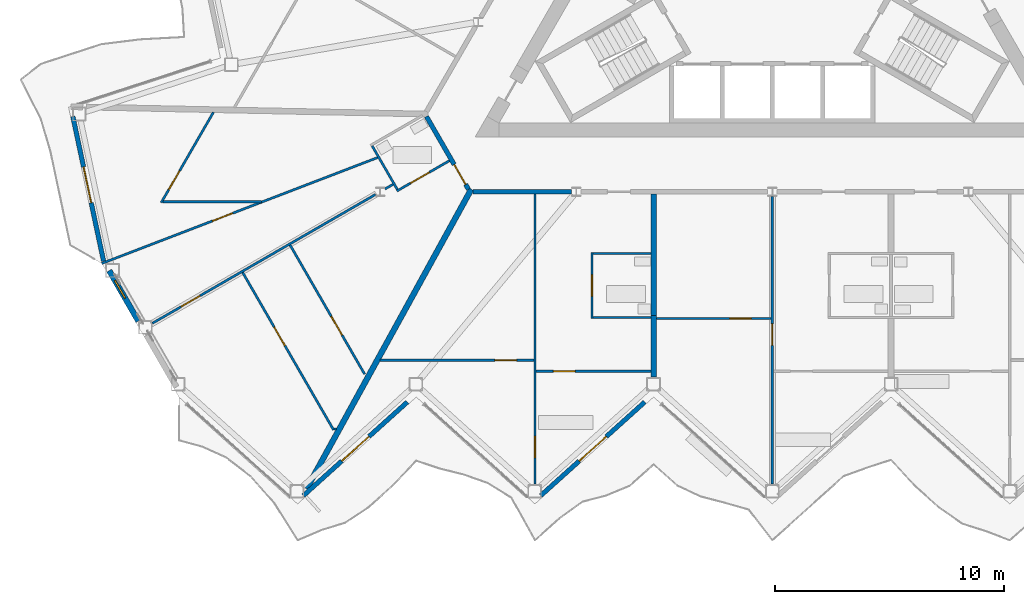
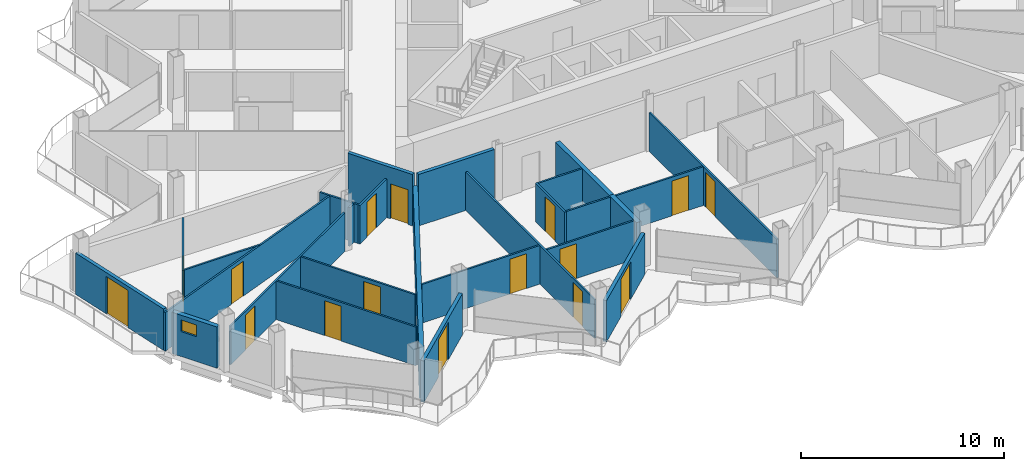
# One storey, part 13 of 27: 27 walls, 16 doors, 1 window, 17 openings.
"""IFC4 building model written with IfcOpenShell, lengths in metres."""

from ifc_helpers import new_model, si_unit, direction, frame, frame_2d, origin, place, context, subcontext, project, spatial, rectangle, extrude, material, layer, layer_set, type_object, element, fill, save


model = new_model("IFC4")

# Units and contexts
model_context = context("Model", 3, precision=1e-05, world=origin(), true_north=direction((0.0, 1.0)))
body_context = subcontext(model_context, "Body", "Model", "MODEL_VIEW")
ifc_project = project(units=[si_unit("LENGTHUNIT", "METRE"), si_unit("AREAUNIT", "SQUARE_METRE"), si_unit("VOLUMEUNIT", "CUBIC_METRE"), si_unit("PLANEANGLEUNIT", "RADIAN"), si_unit("MASSUNIT", "GRAM", prefix="KILO")], contexts=[model_context])

# Site, building, storey
site_placement = place(None, origin())
site = spatial("IfcSite", under=ifc_project, at=site_placement, CompositionType="ELEMENT")
building_placement = place(site_placement, origin())
building = spatial("IfcBuilding", under=site, at=building_placement, Name="Cormorant Prow Tower", CompositionType="ELEMENT")
storey_placement = place(building_placement, frame((0.0, 0.0, 315.39990234375)))
storey = spatial("IfcBuildingStorey", under=building, at=storey_placement, Name="L69", CompositionType="ELEMENT", Elevation=315.39990234375)

# Wall
ifc_material_1 = material(Name="Gypsum board corridor wall")
ifc_layer_1 = layer(ifc_material_1, 0.199951171875)
ifc_layer_set_1 = layer_set([ifc_layer_1], Name="Gypsum board corridor wall")
wall_type_1 = type_object("IfcWallType", Name="Corridor wall 200", PredefinedType="PARTITIONING", material=ifc_layer_set_1)
wall_1_placement = place(storey_placement, frame((-13.10595703125, -9.905517578125, 0.0), z_axis=(0.0, 0.0, 1.0), x_axis=(1.0, 0.0, 0.0)))
element("IfcWall", 1, at=wall_1_placement, inside=storey, type_object=wall_type_1, Name="Corridor wall", PredefinedType="PARTITIONING", context=body_context, shape_type="SweptSolid", body=[
    extrude(rectangle(XDim=4.31982421875, YDim=0.199951171875, at=frame_2d((2.159912109375, 0.0))), origin(), (0.0, 0.0, 1.0), 3.10009765625),
])

# Wall, opening, door
wall_2_placement = place(storey_placement, frame((-15.13134765625, -6.61376953125, 0.0), z_axis=(0.0, 0.0, 1.0), x_axis=(0.499967746641, -0.866044024469, 0.0)))
wall_2 = element("IfcWall", 2, at=wall_2_placement, inside=storey, type_object=wall_type_1, Name="Corridor wall", PredefinedType="PARTITIONING", context=body_context, shape_type="SweptSolid", body=[
    extrude(rectangle(XDim=3.676025390625, YDim=0.199951171875, at=frame_2d((1.837890625, 0.0))), origin(), (0.0, 0.0, 1.0), 3.10009765625),
])
opening_1_placement = place(wall_2_placement, frame((2.426025390625, 0.0, 0.0)))
opening_1 = element("IfcOpeningElement", 3, at=opening_1_placement, cuts=wall_2, Name="Opening L69-F48", PredefinedType="OPENING", context=body_context, shape_type="SweptSolid", body=[
    extrude(rectangle(XDim=1.0, YDim=2.10009765625, at=frame_2d((0.5, 1.050048828125))), frame((0.0, 0.10986328125, 0.0), z_axis=(0.0, -1.0, 0.0), x_axis=(1.0, 0.0, 0.0)), (0.0, 0.0, 1.0), 0.219970703125),
])
ifc_material_2 = material(Name="Timber door leaf", Category="wood")
door_type_1 = type_object("IfcDoorType", Name="Flat or room entrance door 1000x2100", OperationType="NOTDEFINED", PredefinedType="DOOR", material=ifc_material_2)
door_1_placement = place(opening_1_placement, origin())
door_1 = element("IfcDoor", 4, at=door_1_placement, inside=storey, type_object=door_type_1, Name="Living room door", OperationType="SINGLE_SWING_RIGHT", OverallHeight=2.10009765625, OverallWidth=1.0, PredefinedType="DOOR", context=body_context, shape_type="SweptSolid", body=[
    extrude(rectangle(XDim=1.0, YDim=2.10009765625, at=frame_2d((0.5, 1.050048828125))), frame((0.0, 0.02490234375, 0.0), z_axis=(0.0, -1.0, 0.0), x_axis=(1.0, 0.0, 0.0)), (0.0, 0.0, 1.0), 0.050048828125),
])
fill(opening_1, door_1)

ifc_material_3 = material(Name="Gypsum board partition")
ifc_layer_2 = layer(ifc_material_3, 0.10009765625)
ifc_layer_set_2 = layer_set([ifc_layer_2], Name="Gypsum board partition")
wall_type_2 = type_object("IfcWallType", Name="Internal partition 100", PredefinedType="PARTITIONING", material=ifc_layer_set_2)
wall_3_placement = place(storey_placement, frame((-29.33837890625, -13.042236328125, 0.0), z_axis=(0.0, 0.0, 1.0), x_axis=(0.93358243931, 0.358362705944, 0.0)))
wall_3 = element("IfcWall", 5, at=wall_3_placement, inside=storey, type_object=wall_type_2, Name="Internal partition", PredefinedType="PARTITIONING", context=body_context, shape_type="SweptSolid", body=[
    extrude(rectangle(XDim=12.927734375, YDim=0.10009765625, at=frame_2d((6.4638671875, 0.0))), origin(), (0.0, 0.0, 1.0), 2.330078125),
])
opening_2_placement = place(wall_3_placement, frame((5.183349609375, 0.0, 0.0)))
opening_2 = element("IfcOpeningElement", 6, at=opening_2_placement, cuts=wall_3, Name="Opening L69-F53", PredefinedType="OPENING", context=body_context, shape_type="SweptSolid", body=[
    extrude(rectangle(XDim=0.949951171875, YDim=2.10009765625, at=frame_2d((0.47509765625, 1.050048828125))), frame((0.0, 0.06005859375, 0.0), z_axis=(0.0, -1.0, 0.0), x_axis=(1.0, 0.0, 0.0)), (0.0, 0.0, 1.0), 0.1201171875),
])
ifc_material_4 = material(Name="Timber door leaf", Category="wood")
door_type_2 = type_object("IfcDoorType", Name="Bathroom door 950x2100", OperationType="NOTDEFINED", PredefinedType="DOOR", material=ifc_material_4)
door_2_placement = place(opening_2_placement, origin())
door_2 = element("IfcDoor", 7, at=door_2_placement, inside=storey, type_object=door_type_2, Name="Bedroom door", OperationType="SINGLE_SWING_RIGHT", OverallHeight=2.10009765625, OverallWidth=0.949951171875, PredefinedType="DOOR", context=body_context, shape_type="SweptSolid", body=[
    extrude(rectangle(XDim=0.949951171875, YDim=2.10009765625, at=frame_2d((0.47509765625, 1.050048828125))), frame((0.0, 0.02490234375, 0.0), z_axis=(0.0, -1.0, 0.0), x_axis=(1.0, 0.0, 0.0)), (0.0, 0.0, 1.0), 0.050048828125),
])
fill(opening_2, door_2)

wall_4_placement = place(storey_placement, frame((-10.385498046875, -22.697998046875, 0.0), z_axis=(0.0, 0.0, 1.0), x_axis=(0.0, 1.0, 0.0)))
wall_4 = element("IfcWall", 8, at=wall_4_placement, inside=storey, type_object=wall_type_2, Name="Internal partition", PredefinedType="PARTITIONING", context=body_context, shape_type="SweptSolid", body=[
    extrude(rectangle(XDim=12.6923828125, YDim=0.10009765625, at=frame_2d((6.34619140625, 0.0))), origin(), (0.0, 0.0, 1.0), 2.330078125),
])
opening_3_placement = place(wall_4_placement, frame((1.1533203125, 0.0, 0.0)))
opening_3 = element("IfcOpeningElement", 9, at=opening_3_placement, cuts=wall_4, Name="Opening L69-F04", PredefinedType="OPENING", context=body_context, shape_type="SweptSolid", body=[
    extrude(rectangle(XDim=0.949951171875, YDim=2.10009765625, at=frame_2d((0.47509765625, 1.050048828125))), frame((0.0, 0.06005859375, 0.0), z_axis=(0.0, -1.0, 0.0), x_axis=(1.0, 0.0, 0.0)), (0.0, 0.0, 1.0), 0.1201171875),
])
door_3_placement = place(opening_3_placement, origin())
door_3 = element("IfcDoor", 10, at=door_3_placement, inside=storey, type_object=door_type_2, Name="Kitchen door", OperationType="SINGLE_SWING_RIGHT", OverallHeight=2.10009765625, OverallWidth=0.949951171875, PredefinedType="DOOR", context=body_context, shape_type="SweptSolid", body=[
    extrude(rectangle(XDim=0.949951171875, YDim=2.10009765625, at=frame_2d((0.47509765625, 1.050048828125))), frame((0.0, 0.02490234375, 0.0), z_axis=(0.0, -1.0, 0.0), x_axis=(1.0, 0.0, 0.0)), (0.0, 0.0, 1.0), 0.050048828125),
])
fill(opening_3, door_3)

wall_5_placement = place(storey_placement, frame((0.0, -22.697998046875, 0.0), z_axis=(0.0, 0.0, 1.0), x_axis=(0.0, 1.0, 0.0)))
wall_5 = element("IfcWall", 11, at=wall_5_placement, inside=storey, type_object=wall_type_2, Name="Internal partition", PredefinedType="PARTITIONING", context=body_context, shape_type="SweptSolid", body=[
    extrude(rectangle(XDim=12.584716796875, YDim=0.10009765625, at=frame_2d((6.29248046875, 0.0))), origin(), (0.0, 0.0, 1.0), 2.330078125),
])
opening_4_placement = place(wall_5_placement, frame((6.068115234375, 0.0, 0.0)))
opening_4 = element("IfcOpeningElement", 12, at=opening_4_placement, cuts=wall_5, Name="Opening L69-F09", PredefinedType="OPENING", context=body_context, shape_type="SweptSolid", body=[
    extrude(rectangle(XDim=0.949951171875, YDim=2.10009765625, at=frame_2d((0.47509765625, 1.050048828125))), frame((0.0, 0.06005859375, 0.0), z_axis=(0.0, -1.0, 0.0), x_axis=(1.0, 0.0, 0.0)), (0.0, 0.0, 1.0), 0.1201171875),
])
door_4_placement = place(opening_4_placement, origin())
door_4 = element("IfcDoor", 13, at=door_4_placement, inside=storey, type_object=door_type_2, Name="Living room door", OperationType="SINGLE_SWING_RIGHT", OverallHeight=2.10009765625, OverallWidth=0.949951171875, PredefinedType="DOOR", context=body_context, shape_type="SweptSolid", body=[
    extrude(rectangle(XDim=0.949951171875, YDim=2.10009765625, at=frame_2d((0.47509765625, 1.050048828125))), frame((0.0, 0.02490234375, 0.0), z_axis=(0.0, -1.0, 0.0), x_axis=(1.0, 0.0, 0.0)), (0.0, 0.0, 1.0), 0.050048828125),
])
fill(opening_4, door_4)

wall_6_placement = place(storey_placement, frame((-27.122314453125, -15.6591796875, 0.0), z_axis=(0.0, 0.0, 1.0), x_axis=(0.866021046153, 0.500007547564, 0.0)))
wall_6 = element("IfcWall", 14, at=wall_6_placement, inside=storey, type_object=wall_type_2, Name="Internal partition", PredefinedType="PARTITIONING", context=body_context, shape_type="SweptSolid", body=[
    extrude(rectangle(XDim=11.267333984375, YDim=0.10009765625, at=frame_2d((5.6337890625, 0.0))), origin(), (0.0, 0.0, 1.0), 2.330078125),
])
opening_5_placement = place(wall_6_placement, frame((1.4521484375, 0.0, 0.0)))
opening_5 = element("IfcOpeningElement", 15, at=opening_5_placement, cuts=wall_6, Name="Opening L69-F52", PredefinedType="OPENING", context=body_context, shape_type="SweptSolid", body=[
    extrude(rectangle(XDim=0.949951171875, YDim=2.10009765625, at=frame_2d((0.47509765625, 1.050048828125))), frame((0.0, 0.06005859375, 0.0), z_axis=(0.0, -1.0, 0.0), x_axis=(1.0, 0.0, 0.0)), (0.0, 0.0, 1.0), 0.1201171875),
])
door_5_placement = place(opening_5_placement, origin())
door_5 = element("IfcDoor", 16, at=door_5_placement, inside=storey, type_object=door_type_2, Name="Dining room door", OperationType="SINGLE_SWING_RIGHT", OverallHeight=2.10009765625, OverallWidth=0.949951171875, PredefinedType="DOOR", context=body_context, shape_type="SweptSolid", body=[
    extrude(rectangle(XDim=0.949951171875, YDim=2.10009765625, at=frame_2d((0.47509765625, 1.050048828125))), frame((0.0, 0.02490234375, 0.0), z_axis=(0.0, -1.0, 0.0), x_axis=(1.0, 0.0, 0.0)), (0.0, 0.0, 1.0), 0.050048828125),
])
fill(opening_5, door_5)

wall_7_placement = place(storey_placement, frame((-23.173095703125, -13.436767578125, 0.0), z_axis=(0.0, 0.0, 1.0), x_axis=(0.500018284498, -0.866014846967, 0.0)))
wall_7 = element("IfcWall", 17, at=wall_7_placement, inside=storey, type_object=wall_type_2, Name="Internal partition", PredefinedType="PARTITIONING", context=body_context, shape_type="SweptSolid", body=[
    extrude(rectangle(XDim=7.953369140625, YDim=0.10009765625, at=frame_2d((3.9765625, 0.0))), origin(), (0.0, 0.0, 1.0), 2.330078125),
])
opening_6_placement = place(wall_7_placement, frame((2.751220703125, 0.0, 0.0)))
opening_6 = element("IfcOpeningElement", 18, at=opening_6_placement, cuts=wall_7, Name="Opening L69-F51", PredefinedType="OPENING", context=body_context, shape_type="SweptSolid", body=[
    extrude(rectangle(XDim=0.949951171875, YDim=2.10009765625, at=frame_2d((0.47509765625, 1.050048828125))), frame((0.0, 0.06005859375, 0.0), z_axis=(0.0, -1.0, 0.0), x_axis=(1.0, 0.0, 0.0)), (0.0, 0.0, 1.0), 0.1201171875),
])
door_6_placement = place(opening_6_placement, origin())
door_6 = element("IfcDoor", 19, at=door_6_placement, inside=storey, type_object=door_type_2, Name="Kitchen door", OperationType="SINGLE_SWING_RIGHT", OverallHeight=2.10009765625, OverallWidth=0.949951171875, PredefinedType="DOOR", context=body_context, shape_type="SweptSolid", body=[
    extrude(rectangle(XDim=0.949951171875, YDim=2.10009765625, at=frame_2d((0.47509765625, 1.050048828125))), frame((0.0, 0.02490234375, 0.0), z_axis=(0.0, -1.0, 0.0), x_axis=(1.0, 0.0, 0.0)), (0.0, 0.0, 1.0), 0.050048828125),
])
fill(opening_6, door_6)

wall_8_placement = place(storey_placement, frame((-17.157958984375, -17.27099609375, 0.0), z_axis=(0.0, 0.0, 1.0), x_axis=(1.0, 0.0, 0.0)))
wall_8 = element("IfcWall", 20, at=wall_8_placement, inside=storey, type_object=wall_type_2, Name="Internal partition", PredefinedType="PARTITIONING", context=body_context, shape_type="SweptSolid", body=[
    extrude(rectangle(XDim=6.722412109375, YDim=0.10009765625, at=frame_2d((3.361328125, 0.0))), origin(), (0.0, 0.0, 1.0), 2.330078125),
])
opening_7_placement = place(wall_8_placement, frame((5.015380859375, 0.0, 0.0)))
opening_7 = element("IfcOpeningElement", 21, at=opening_7_placement, cuts=wall_8, Name="Opening L69-F05", PredefinedType="OPENING", context=body_context, shape_type="SweptSolid", body=[
    extrude(rectangle(XDim=0.949951171875, YDim=2.10009765625, at=frame_2d((0.47509765625, 1.050048828125))), frame((0.0, 0.06005859375, 0.0), z_axis=(0.0, -1.0, 0.0), x_axis=(1.0, 0.0, 0.0)), (0.0, 0.0, 1.0), 0.1201171875),
])
door_7_placement = place(opening_7_placement, origin())
door_7 = element("IfcDoor", 22, at=door_7_placement, inside=storey, type_object=door_type_2, Name="Bedroom door", OperationType="SINGLE_SWING_RIGHT", OverallHeight=2.10009765625, OverallWidth=0.949951171875, PredefinedType="DOOR", context=body_context, shape_type="SweptSolid", body=[
    extrude(rectangle(XDim=0.949951171875, YDim=2.10009765625, at=frame_2d((0.47509765625, 1.050048828125))), frame((0.0, 0.02490234375, 0.0), z_axis=(0.0, -1.0, 0.0), x_axis=(1.0, 0.0, 0.0)), (0.0, 0.0, 1.0), 0.050048828125),
])
fill(opening_7, door_7)

wall_9_placement = place(storey_placement, frame((-21.09765625, -12.238525390625, 0.0), z_axis=(0.0, 0.0, 1.0), x_axis=(0.499973122483, -0.86604092097, 0.0)))
wall_9 = element("IfcWall", 23, at=wall_9_placement, inside=storey, type_object=wall_type_2, Name="Internal partition", PredefinedType="PARTITIONING", context=body_context, shape_type="SweptSolid", body=[
    extrude(rectangle(XDim=6.519775390625, YDim=0.10009765625, at=frame_2d((3.259765625, 0.0))), origin(), (0.0, 0.0, 1.0), 2.330078125),
])
opening_8_placement = place(wall_9_placement, frame((3.59619140625, 0.0, 0.0)))
opening_8 = element("IfcOpeningElement", 24, at=opening_8_placement, cuts=wall_9, Name="Opening L69-F50", PredefinedType="OPENING", context=body_context, shape_type="SweptSolid", body=[
    extrude(rectangle(XDim=0.949951171875, YDim=2.10009765625, at=frame_2d((0.47509765625, 1.050048828125))), frame((0.0, 0.06005859375, 0.0), z_axis=(0.0, -1.0, 0.0), x_axis=(1.0, 0.0, 0.0)), (0.0, 0.0, 1.0), 0.1201171875),
])
door_8_placement = place(opening_8_placement, origin())
door_8 = element("IfcDoor", 25, at=door_8_placement, inside=storey, type_object=door_type_2, Name="Living room door", OperationType="SINGLE_SWING_RIGHT", OverallHeight=2.10009765625, OverallWidth=0.949951171875, PredefinedType="DOOR", context=body_context, shape_type="SweptSolid", body=[
    extrude(rectangle(XDim=0.949951171875, YDim=2.10009765625, at=frame_2d((0.47509765625, 1.050048828125))), frame((0.0, 0.02490234375, 0.0), z_axis=(0.0, -1.0, 0.0), x_axis=(1.0, 0.0, 0.0)), (0.0, 0.0, 1.0), 0.050048828125),
])
fill(opening_8, door_8)

wall_10_placement = place(storey_placement, frame((-10.335693359375, -17.758056640625, 0.0), z_axis=(0.0, 0.0, 1.0), x_axis=(1.0, 0.0, 0.0)))
wall_10 = element("IfcWall", 26, at=wall_10_placement, inside=storey, type_object=wall_type_2, Name="Internal partition", PredefinedType="PARTITIONING", context=body_context, shape_type="SweptSolid", body=[
    extrude(rectangle(XDim=5.017822265625, YDim=0.10009765625, at=frame_2d((2.5087890625, 0.0))), origin(), (0.0, 0.0, 1.0), 2.330078125),
])
opening_9_placement = place(wall_10_placement, frame((0.759765625, 0.0, 0.0)))
opening_9 = element("IfcOpeningElement", 27, at=opening_9_placement, cuts=wall_10, Name="Opening L69-F03", PredefinedType="OPENING", context=body_context, shape_type="SweptSolid", body=[
    extrude(rectangle(XDim=0.949951171875, YDim=2.10009765625, at=frame_2d((0.47509765625, 1.050048828125))), frame((0.0, 0.06005859375, 0.0), z_axis=(0.0, -1.0, 0.0), x_axis=(1.0, 0.0, 0.0)), (0.0, 0.0, 1.0), 0.1201171875),
])
door_9_placement = place(opening_9_placement, origin())
door_9 = element("IfcDoor", 28, at=door_9_placement, inside=storey, type_object=door_type_2, Name="Living room door", OperationType="SINGLE_SWING_LEFT", OverallHeight=2.10009765625, OverallWidth=0.949951171875, PredefinedType="DOOR", context=body_context, shape_type="SweptSolid", body=[
    extrude(rectangle(XDim=0.949951171875, YDim=2.10009765625, at=frame_2d((0.47509765625, 1.050048828125))), frame((0.0, 0.02490234375, 0.0), z_axis=(0.0, -1.0, 0.0), x_axis=(1.0, 0.0, 0.0)), (0.0, 0.0, 1.0), 0.050048828125),
])
fill(opening_9, door_9)

wall_11_placement = place(storey_placement, frame((-5.06787109375, -15.447265625, 0.0), z_axis=(0.0, 0.0, 1.0), x_axis=(1.0, 0.0, 0.0)))
wall_11 = element("IfcWall", 29, at=wall_11_placement, inside=storey, type_object=wall_type_2, Name="Internal partition", PredefinedType="PARTITIONING", context=body_context, shape_type="SweptSolid", body=[
    extrude(rectangle(XDim=5.017822265625, YDim=0.10009765625, at=frame_2d((2.5087890625, 0.0))), origin(), (0.0, 0.0, 1.0), 2.330078125),
])
opening_10_placement = place(wall_11_placement, frame((3.206298828125, 0.0, 0.0)))
opening_10 = element("IfcOpeningElement", 30, at=opening_10_placement, cuts=wall_11, Name="Opening L69-F10", PredefinedType="OPENING", context=body_context, shape_type="SweptSolid", body=[
    extrude(rectangle(XDim=0.949951171875, YDim=2.10009765625, at=frame_2d((0.47509765625, 1.050048828125))), frame((0.0, 0.06005859375, 0.0), z_axis=(0.0, -1.0, 0.0), x_axis=(1.0, 0.0, 0.0)), (0.0, 0.0, 1.0), 0.1201171875),
])
door_10_placement = place(opening_10_placement, origin())
door_10 = element("IfcDoor", 31, at=door_10_placement, inside=storey, type_object=door_type_2, Name="Bedroom door", OperationType="SINGLE_SWING_RIGHT", OverallHeight=2.10009765625, OverallWidth=0.949951171875, PredefinedType="DOOR", context=body_context, shape_type="SweptSolid", body=[
    extrude(rectangle(XDim=0.949951171875, YDim=2.10009765625, at=frame_2d((0.47509765625, 1.050048828125))), frame((0.0, 0.02490234375, 0.0), z_axis=(0.0, -1.0, 0.0), x_axis=(1.0, 0.0, 0.0)), (0.0, 0.0, 1.0), 0.050048828125),
])
fill(opening_10, door_10)

wall_12_placement = place(storey_placement, frame((-26.735595703125, -10.3798828125, 0.0), z_axis=(0.0, 0.0, 1.0), x_axis=(0.500024700597, 0.866011142419, 0.0)))
wall_12 = element("IfcWall", 32, at=wall_12_placement, inside=storey, type_object=wall_type_2, Name="Internal partition", PredefinedType="PARTITIONING", context=body_context, shape_type="SweptSolid", body=[
    extrude(rectangle(XDim=4.568115234375, YDim=0.10009765625, at=frame_2d((2.2841796875, 0.0))), origin(), (0.0, 0.0, 1.0), 2.330078125),
])
opening_11_placement = place(wall_12_placement, frame((0.65234375, 0.0, 0.0)))
opening_11 = element("IfcOpeningElement", 33, at=opening_11_placement, cuts=wall_12, Name="Opening L69-F54", PredefinedType="OPENING", context=body_context, shape_type="SweptSolid", body=[
    extrude(rectangle(XDim=0.949951171875, YDim=2.10009765625, at=frame_2d((0.47509765625, 1.050048828125))), frame((0.0, 0.06005859375, 0.0), z_axis=(0.0, -1.0, 0.0), x_axis=(1.0, 0.0, 0.0)), (0.0, 0.0, 1.0), 0.1201171875),
])
door_11_placement = place(opening_11_placement, origin())
door_11 = element("IfcDoor", 34, at=door_11_placement, inside=storey, type_object=door_type_2, Name="Bedroom door", OperationType="SINGLE_SWING_LEFT", OverallHeight=2.10009765625, OverallWidth=0.949951171875, PredefinedType="DOOR", context=body_context, shape_type="SweptSolid", body=[
    extrude(rectangle(XDim=0.949951171875, YDim=2.10009765625, at=frame_2d((0.47509765625, 1.050048828125))), frame((0.0, 0.02490234375, 0.0), z_axis=(0.0, -1.0, 0.0), x_axis=(1.0, 0.0, 0.0)), (0.0, 0.0, 1.0), 0.050048828125),
])
fill(opening_11, door_11)

# Wall
wall_13_placement = place(storey_placement, frame((-26.660400390625, -10.336669921875, 0.0), z_axis=(0.0, 0.0, 1.0), x_axis=(1.0, 0.0, 0.0)))
element("IfcWall", 35, at=wall_13_placement, inside=storey, type_object=wall_type_2, Name="Internal partition", PredefinedType="PARTITIONING", context=body_context, shape_type="SweptSolid", body=[
    extrude(rectangle(XDim=4.300537109375, YDim=0.10009765625, at=frame_2d((2.150390625, 0.0))), origin(), (0.0, 0.0, 1.0), 2.330078125),
])

# Wall, opening, door
wall_14_placement = place(storey_placement, frame((-7.892822265625, -15.45556640625, 0.0), z_axis=(0.0, 0.0, 1.0), x_axis=(0.0, 1.0, 0.0)))
wall_14 = element("IfcWall", 36, at=wall_14_placement, inside=storey, type_object=wall_type_2, Name="Internal partition", PredefinedType="PARTITIONING", context=body_context, shape_type="SweptSolid", body=[
    extrude(rectangle(XDim=2.89990234375, YDim=0.10009765625, at=frame_2d((1.449951171875, 0.0))), origin(), (0.0, 0.0, 1.0), 2.330078125),
])
opening_12_placement = place(wall_14_placement, frame((0.97509765625, 0.0, 0.0)))
opening_12 = element("IfcOpeningElement", 37, at=opening_12_placement, cuts=wall_14, Name="Opening L69-F02", PredefinedType="OPENING", context=body_context, shape_type="SweptSolid", body=[
    extrude(rectangle(XDim=0.949951171875, YDim=2.10009765625, at=frame_2d((0.47509765625, 1.050048828125))), frame((0.0, 0.06005859375, 0.0), z_axis=(0.0, -1.0, 0.0), x_axis=(1.0, 0.0, 0.0)), (0.0, 0.0, 1.0), 0.1201171875),
])
door_12_placement = place(opening_12_placement, origin())
door_12 = element("IfcDoor", 38, at=door_12_placement, inside=storey, type_object=door_type_2, Name="Living room door", OperationType="SINGLE_SWING_LEFT", OverallHeight=2.10009765625, OverallWidth=0.949951171875, PredefinedType="DOOR", context=body_context, shape_type="SweptSolid", body=[
    extrude(rectangle(XDim=0.949951171875, YDim=2.10009765625, at=frame_2d((0.47509765625, 1.050048828125))), frame((0.0, 0.02490234375, 0.0), z_axis=(0.0, -1.0, 0.0), x_axis=(1.0, 0.0, 0.0)), (0.0, 0.0, 1.0), 0.050048828125),
])
fill(opening_12, door_12)

# Walls
for number, where, z_axis, x_axis, name in (
    (39, (-7.8427734375, -12.605712890625, 0.0), (0.0, 0.0, 1.0), (1.0, 0.0, 0.0), "Internal partition"),
    (40, (-7.8427734375, -15.405517578125, 0.0), (0.0, 0.0, 1.0), (1.0, 0.0, 0.0), "Internal partition"),
):
    element("IfcWall", number, at=place(storey_placement, frame(where, z_axis=z_axis, x_axis=x_axis)), inside=storey, type_object=wall_type_2, Name=name, PredefinedType="PARTITIONING", context=body_context, shape_type="SweptSolid", body=[
        extrude(rectangle(XDim=2.52490234375, YDim=0.10009765625, at=frame_2d((1.262451171875, 0.0))), origin(), (0.0, 0.0, 1.0), 2.330078125),
    ])

# Wall, opening, door
wall_15_placement = place(storey_placement, frame((-16.425537109375, -9.872314453125, 0.0), z_axis=(0.0, 0.0, 1.0), x_axis=(0.866029095148, 0.499993606316, 0.0)))
wall_15 = element("IfcWall", 41, at=wall_15_placement, inside=storey, type_object=wall_type_2, Name="Internal partition", PredefinedType="PARTITIONING", context=body_context, shape_type="SweptSolid", body=[
    extrude(rectangle(XDim=2.64990234375, YDim=0.10009765625, at=frame_2d((1.324951171875, 0.0))), origin(), (0.0, 0.0, 1.0), 2.330078125),
])
opening_13_placement = place(wall_15_placement, frame((0.686279296875, 0.0, 0.0)))
opening_13 = element("IfcOpeningElement", 42, at=opening_13_placement, cuts=wall_15, Name="Opening L69-F49", PredefinedType="OPENING", context=body_context, shape_type="SweptSolid", body=[
    extrude(rectangle(XDim=0.949951171875, YDim=2.10009765625, at=frame_2d((0.47509765625, 1.050048828125))), frame((0.0, 0.06005859375, 0.0), z_axis=(0.0, -1.0, 0.0), x_axis=(1.0, 0.0, 0.0)), (0.0, 0.0, 1.0), 0.1201171875),
])
door_13_placement = place(opening_13_placement, origin())
door_13 = element("IfcDoor", 43, at=door_13_placement, inside=storey, type_object=door_type_2, Name="Living room door", OperationType="SINGLE_SWING_LEFT", OverallHeight=2.10009765625, OverallWidth=0.949951171875, PredefinedType="DOOR", context=body_context, shape_type="SweptSolid", body=[
    extrude(rectangle(XDim=0.949951171875, YDim=2.10009765625, at=frame_2d((0.47509765625, 1.050048828125))), frame((0.0, 0.02490234375, 0.0), z_axis=(0.0, -1.0, 0.0), x_axis=(1.0, 0.0, 0.0)), (0.0, 0.0, 1.0), 0.050048828125),
])
fill(opening_13, door_13)

# Walls
wall_16_placement = place(storey_placement, frame((-17.507080078125, -7.89892578125, 0.0), z_axis=(0.0, 0.0, 1.0), x_axis=(0.499946605688, -0.86605622881, 0.0)))
element("IfcWall", 44, at=wall_16_placement, inside=storey, type_object=wall_type_2, Name="Internal partition", PredefinedType="PARTITIONING", context=body_context, shape_type="SweptSolid", body=[
    extrude(rectangle(XDim=2.199951171875, YDim=0.10009765625, at=frame_2d((1.10009765625, 0.0))), origin(), (0.0, 0.0, 1.0), 2.330078125),
])
wall_17_placement = place(storey_placement, frame((-16.94921875, -9.78564453125, 0.0), z_axis=(0.0, 0.0, 1.0), x_axis=(0.866036909293, 0.499980071345, 0.0)))
element("IfcWall", 45, at=wall_17_placement, inside=storey, type_object=wall_type_2, Name="Internal partition", PredefinedType="PARTITIONING", context=body_context, shape_type="SweptSolid", body=[
    extrude(rectangle(XDim=0.41015625, YDim=0.10009765625, at=frame_2d((0.205078125, 0.0))), origin(), (0.0, 0.0, 1.0), 2.330078125),
])
wall_18_placement = place(storey_placement, frame((-19.17138671875, -20.28125, 0.0), z_axis=(0.0, 0.0, 1.0), x_axis=(1.0, 0.0, 0.0)))
element("IfcWall", 46, at=wall_18_placement, inside=storey, type_object=wall_type_2, Name="Internal partition", PredefinedType="PARTITIONING", context=body_context, shape_type="SweptSolid", body=[
    extrude(rectangle(XDim=0.107666015625, YDim=0.10009765625, at=frame_2d((0.0537109375, 0.0))), origin(), (0.0, 0.0, 1.0), 2.330078125),
])
ifc_material_5 = material(Name="Acoustic gypsum party wall")
ifc_layer_3 = layer(ifc_material_5, 0.25)
ifc_layer_set_3 = layer_set([ifc_layer_3], Name="Acoustic gypsum party wall")
wall_type_3 = type_object("IfcWallType", Name="Suite party wall 250", PredefinedType="PARTITIONING", material=ifc_layer_set_3)
wall_19_placement = place(storey_placement, frame((-20.38134765625, -22.903564453125, 0.0), z_axis=(0.0, 0.0, 1.0), x_axis=(0.481994550341, 0.876174214093, 0.0)))
element("IfcWall", 47, at=wall_19_placement, inside=storey, type_object=wall_type_3, Name="Suite party wall", PredefinedType="PARTITIONING", context=body_context, shape_type="SweptSolid", body=[
    extrude(rectangle(XDim=14.960205078125, YDim=0.25, at=frame_2d((7.47998046875, 0.0))), origin(), (0.0, 0.0, 1.0), 2.330078125),
])
wall_20_placement = place(storey_placement, frame((-5.19287109375, -15.530517578125, 0.0), z_axis=(0.0, 0.0, 1.0), x_axis=(0.0, 1.0, 0.0)))
element("IfcWall", 48, at=wall_20_placement, inside=storey, type_object=wall_type_3, Name="Suite party wall", PredefinedType="PARTITIONING", context=body_context, shape_type="SweptSolid", body=[
    extrude(rectangle(XDim=5.52490234375, YDim=0.25, at=frame_2d((2.762451171875, 0.0))), origin(), (0.0, 0.0, 1.0), 2.330078125),
])
wall_21_placement = place(storey_placement, frame((-5.19287109375, -18.016845703125, 0.0), z_axis=(0.0, 0.0, 1.0), x_axis=(0.0, 1.0, 0.0)))
element("IfcWall", 49, at=wall_21_placement, inside=storey, type_object=wall_type_3, Name="Suite party wall", PredefinedType="PARTITIONING", context=body_context, shape_type="SweptSolid", body=[
    extrude(rectangle(XDim=2.70458984375, YDim=0.25, at=frame_2d((1.352294921875, 0.0))), origin(), (0.0, 0.0, 1.0), 2.330078125),
])

# Wall, opening, window
ifc_material_6 = material(Name="Terracotta", Category="masonry")
ifc_layer_4 = layer(ifc_material_6, 0.25)
ifc_layer_set_4 = layer_set([ifc_layer_4], Name="Terracotta")
wall_type_4 = type_object("IfcWallType", Name="Terracotta bay wall 250", PredefinedType="SOLIDWALL", material=ifc_layer_set_4)
wall_22_placement = place(storey_placement, frame((-29.012939453125, -13.355712890625, 0.0), z_axis=(0.0, 0.0, 1.0), x_axis=(0.500012659481, -0.866018094706, 0.0)))
wall_22 = element("IfcWall", 50, at=wall_22_placement, inside=storey, type_object=wall_type_4, Name="Terracotta bay wall WSW00", PredefinedType="SOLIDWALL", context=body_context, shape_type="SweptSolid", body=[
    extrude(rectangle(XDim=2.548828125, YDim=0.25, at=frame_2d((1.2744140625, 0.0))), origin(), (0.0, 0.0, 1.0), 2.488037109375),
])
opening_14_placement = place(wall_22_placement, frame((0.5, 0.0, 1.5)))
opening_14 = element("IfcOpeningElement", 51, at=opening_14_placement, cuts=wall_22, Name="Opening WN8", PredefinedType="OPENING", context=body_context, shape_type="SweptSolid", body=[
    extrude(rectangle(XDim=0.89990234375, YDim=0.699951171875, at=frame_2d((0.449951171875, 0.35009765625))), frame((0.0, 0.135009765625, 0.0), z_axis=(0.0, -1.0, 0.0), x_axis=(1.0, 0.0, 0.0)), (0.0, 0.0, 1.0), 0.27001953125),
])
ifc_material_7 = material(Name="Aluminium 6063-T6", Category="aluminium")
window_type = type_object("IfcWindowType", Name="Corner bay window 900x700", PartitioningType="SINGLE_PANEL", PredefinedType="WINDOW", material=ifc_material_7)
window_placement = place(opening_14_placement, origin())
window = element("IfcWindow", 52, at=window_placement, inside=storey, type_object=window_type, Name="Corner bay window WSW00", OverallHeight=0.699951171875, OverallWidth=0.89990234375, PartitioningType="SINGLE_PANEL", PredefinedType="WINDOW", context=body_context, shape_type="SweptSolid", body=[
    extrude(rectangle(XDim=0.89990234375, YDim=0.699951171875, at=frame_2d((0.449951171875, 0.35009765625))), frame((0.0, 0.030029296875, 0.0), z_axis=(0.0, -1.0, 0.0), x_axis=(1.0, 0.0, 0.0)), (0.0, 0.0, 1.0), 0.06005859375),
])
fill(opening_14, window)

# Wall, opening, door
ifc_material_8 = material(Name="Terracotta", Category="masonry")
ifc_layer_5 = layer(ifc_material_8, 0.199951171875)
ifc_layer_set_5 = layer_set([ifc_layer_5], Name="Terracotta")
wall_type_5 = type_object("IfcWallType", Name="Terracotta jamb wall 200", PredefinedType="SOLIDWALL", material=ifc_layer_set_5)
wall_23_placement = place(storey_placement, frame((-20.515625, -23.197509765625, 0.0), z_axis=(0.0, 0.0, 1.0), x_axis=(0.743121537674, 0.66915646918, 0.0)))
wall_23 = element("IfcWall", 53, at=wall_23_placement, inside=storey, type_object=wall_type_5, Name="Terracotta jamb wall S01", PredefinedType="SOLIDWALL", context=body_context, shape_type="SweptSolid", body=[
    extrude(rectangle(XDim=6.11962890625, YDim=0.199951171875, at=frame_2d((3.059814453125, 0.0))), origin(), (0.0, 0.0, 1.0), 2.488037109375),
])
opening_15_placement = place(wall_23_placement, frame((2.259765625, 0.0, 0.0)))
opening_15 = element("IfcOpeningElement", 54, at=opening_15_placement, cuts=wall_23, Name="Opening ED69.01", PredefinedType="OPENING", context=body_context, shape_type="SweptSolid", body=[
    extrude(rectangle(XDim=1.60009765625, YDim=2.25, at=frame_2d((0.800048828125, 1.125))), frame((0.0, 0.10986328125, 0.0), z_axis=(0.0, -1.0, 0.0), x_axis=(1.0, 0.0, 0.0)), (0.0, 0.0, 1.0), 0.219970703125),
])
ifc_material_9 = material(Name="Aluminium 6063-T6", Category="aluminium")
door_type_3 = type_object("IfcDoorType", Name="Balcony door 1600x2250", OperationType="DOUBLE_DOOR_SINGLE_SWING", PredefinedType="DOOR", material=ifc_material_9)
door_14_placement = place(opening_15_placement, origin())
door_14 = element("IfcDoor", 55, at=door_14_placement, inside=storey, type_object=door_type_3, Name="Balcony door S01 ED69.01", OperationType="DOUBLE_DOOR_SINGLE_SWING", OverallHeight=2.25, OverallWidth=1.60009765625, PredefinedType="DOOR", context=body_context, shape_type="SweptSolid", body=[
    extrude(rectangle(XDim=1.60009765625, YDim=2.25, at=frame_2d((0.800048828125, 1.125))), frame((0.0, 0.02490234375, 0.0), z_axis=(0.0, -1.0, 0.0), x_axis=(1.0, 0.0, 0.0)), (0.0, 0.0, 1.0), 0.050048828125),
])
fill(opening_15, door_14)

wall_24_placement = place(storey_placement, frame((-10.130126953125, -23.197509765625, 0.0), z_axis=(0.0, 0.0, 1.0), x_axis=(0.743139400616, 0.669136631229, 0.0)))
wall_24 = element("IfcWall", 56, at=wall_24_placement, inside=storey, type_object=wall_type_5, Name="Terracotta jamb wall S03", PredefinedType="SOLIDWALL", context=body_context, shape_type="SweptSolid", body=[
    extrude(rectangle(XDim=6.119873046875, YDim=0.199951171875, at=frame_2d((3.06005859375, 0.0))), origin(), (0.0, 0.0, 1.0), 2.488037109375),
])
opening_16_placement = place(wall_24_placement, frame((2.259765625, 0.0, 0.0)))
opening_16 = element("IfcOpeningElement", 57, at=opening_16_placement, cuts=wall_24, Name="Opening ED69.02", PredefinedType="OPENING", context=body_context, shape_type="SweptSolid", body=[
    extrude(rectangle(XDim=1.60009765625, YDim=2.25, at=frame_2d((0.800048828125, 1.125))), frame((0.0, 0.10986328125, 0.0), z_axis=(0.0, -1.0, 0.0), x_axis=(1.0, 0.0, 0.0)), (0.0, 0.0, 1.0), 0.219970703125),
])
door_15_placement = place(opening_16_placement, origin())
door_15 = element("IfcDoor", 58, at=door_15_placement, inside=storey, type_object=door_type_3, Name="Balcony door S03 ED69.02", OperationType="DOUBLE_DOOR_SINGLE_SWING", OverallHeight=2.25, OverallWidth=1.60009765625, PredefinedType="DOOR", context=body_context, shape_type="SweptSolid", body=[
    extrude(rectangle(XDim=1.60009765625, YDim=2.25, at=frame_2d((0.800048828125, 1.125))), frame((0.0, 0.02490234375, 0.0), z_axis=(0.0, -1.0, 0.0), x_axis=(1.0, 0.0, 0.0)), (0.0, 0.0, 1.0), 0.050048828125),
])
fill(opening_16, door_15)

wall_25_placement = place(storey_placement, frame((-30.60302734375, -6.611083984375, 0.0), z_axis=(0.0, 0.0, 1.0), x_axis=(0.207921893309, -0.978145432072, 0.0)))
wall_25 = element("IfcWall", 59, at=wall_25_placement, inside=storey, type_object=wall_type_5, Name="Terracotta jamb wall WNW09", PredefinedType="SOLIDWALL", context=body_context, shape_type="SweptSolid", body=[
    extrude(rectangle(XDim=6.474609375, YDim=0.199951171875, at=frame_2d((3.2373046875, 0.0))), origin(), (0.0, 0.0, 1.0), 2.488037109375),
])
opening_17_placement = place(wall_25_placement, frame((2.259765625, 0.0, 0.0)))
opening_17 = element("IfcOpeningElement", 60, at=opening_17_placement, cuts=wall_25, Name="Opening ED69.15", PredefinedType="OPENING", context=body_context, shape_type="SweptSolid", body=[
    extrude(rectangle(XDim=1.60009765625, YDim=2.25, at=frame_2d((0.800048828125, 1.125))), frame((0.0, 0.10986328125, 0.0), z_axis=(0.0, -1.0, 0.0), x_axis=(1.0, 0.0, 0.0)), (0.0, 0.0, 1.0), 0.219970703125),
])
door_16_placement = place(opening_17_placement, origin())
door_16 = element("IfcDoor", 61, at=door_16_placement, inside=storey, type_object=door_type_3, Name="Balcony door WNW09 ED69.15", OperationType="DOUBLE_DOOR_SINGLE_SWING", OverallHeight=2.25, OverallWidth=1.60009765625, PredefinedType="DOOR", context=body_context, shape_type="SweptSolid", body=[
    extrude(rectangle(XDim=1.60009765625, YDim=2.25, at=frame_2d((0.800048828125, 1.125))), frame((0.0, 0.02490234375, 0.0), z_axis=(0.0, -1.0, 0.0), x_axis=(1.0, 0.0, 0.0)), (0.0, 0.0, 1.0), 0.050048828125),
])
fill(opening_17, door_16)

save(model, "model.ifc")
